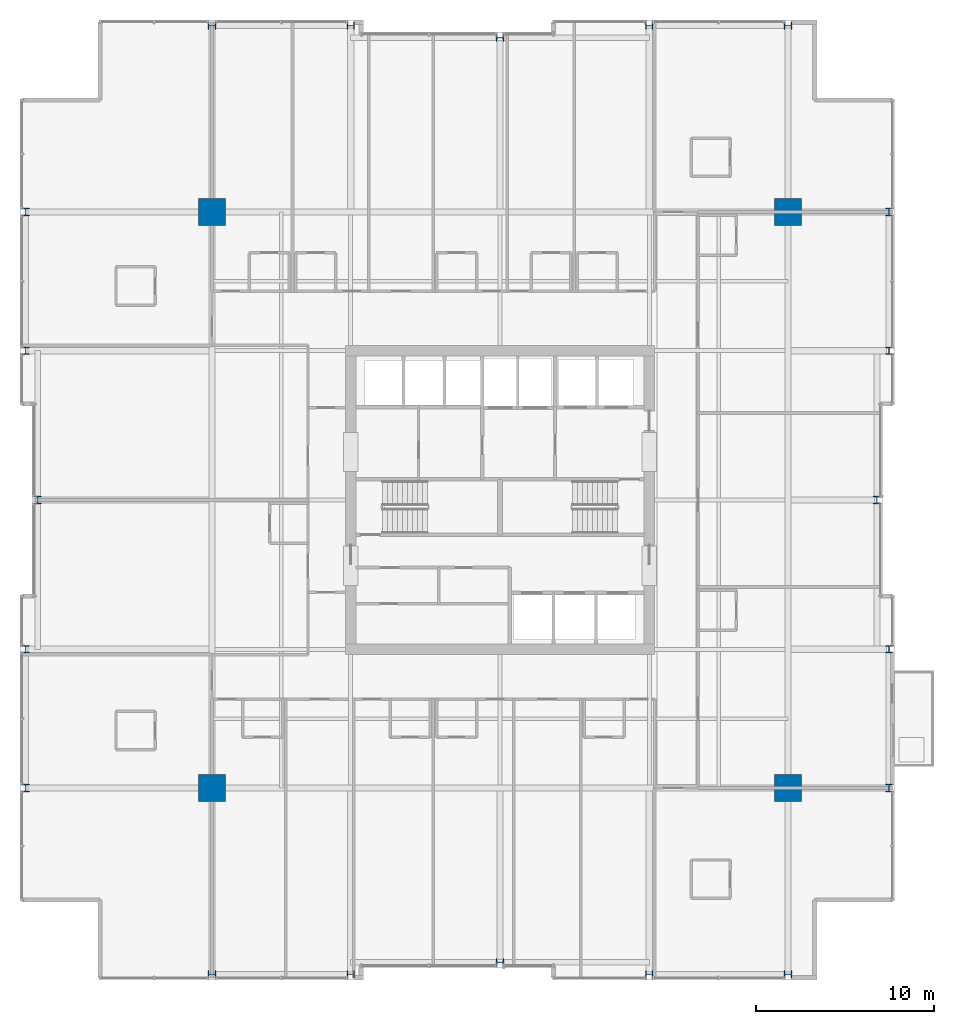
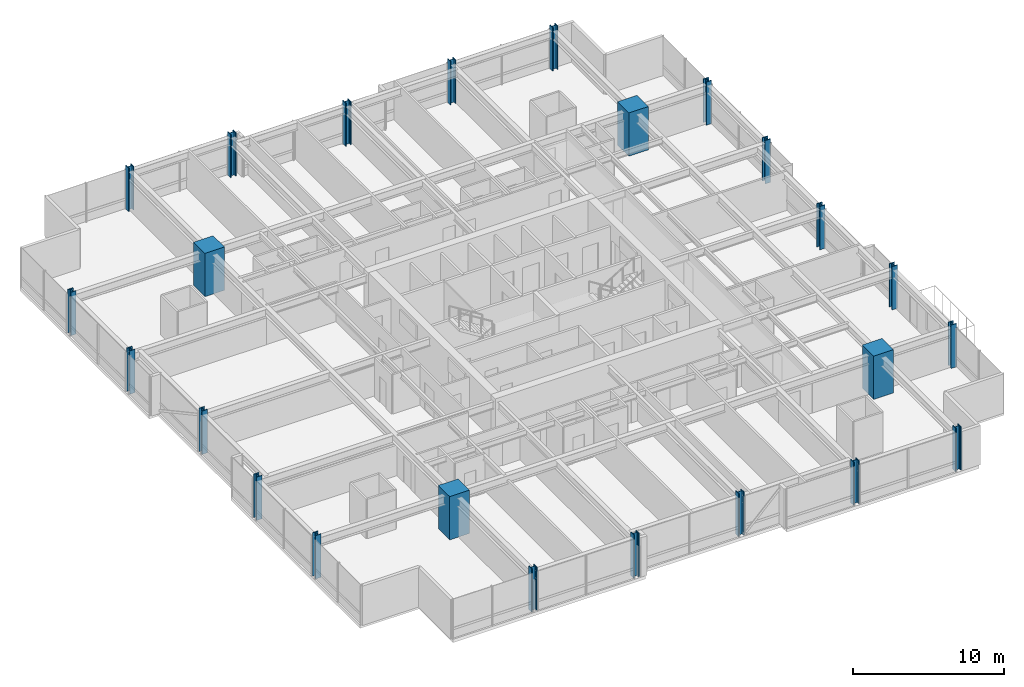
# One storey, part 1 of 35: 24 columns.
"""IFC4 building model written with IfcOpenShell, lengths in metres."""

from ifc_helpers import new_model, si_unit, direction, frame, origin, origin_2d, place, context, subcontext, project, spatial, rectangle, i_section, extrude, material, material_profile, profile_set, type_object, element, save


model = new_model("IFC4")

# Units and contexts
model_context = context("Model", 3, precision=1e-05, world=origin(), true_north=direction((0.0, 1.0)))
body_context = subcontext(model_context, "Body", "Model", "MODEL_VIEW")
ifc_project = project(units=[si_unit("LENGTHUNIT", "METRE"), si_unit("AREAUNIT", "SQUARE_METRE"), si_unit("VOLUMEUNIT", "CUBIC_METRE"), si_unit("PLANEANGLEUNIT", "RADIAN"), si_unit("MASSUNIT", "GRAM", prefix="KILO")], contexts=[model_context])

# Site, building, storey
site_placement = place(None, origin())
site = spatial("IfcSite", under=ifc_project, at=site_placement, CompositionType="ELEMENT")
building_placement = place(site_placement, origin())
building = spatial("IfcBuilding", under=site, at=building_placement, Name="Drelvath Grand Hotel", CompositionType="ELEMENT")
storey_placement = place(building_placement, frame((0.0, 0.0, 137.300048828125)))
storey = spatial("IfcBuildingStorey", under=building, at=storey_placement, Name="L35", CompositionType="ELEMENT", Elevation=137.300048828125)

# Columns
ifc_material_1 = material(Name="Concrete f'c 70 MPa", Category="concrete")
ifc_material_profile_1 = material_profile(ifc_material_1, rectangle(XDim=1.5, YDim=1.5, at=origin_2d()), Name="MC1500X1500")
ifc_profile_set_1 = profile_set([ifc_material_profile_1], Name="Concrete f'c 70 MPa")
column_type_1 = type_object("IfcColumnType", Name="Composite Mega Column MC1500X1500", PredefinedType="COLUMN", material=ifc_profile_set_1)
for number, where, z_axis, x_axis, name in (
    (1, (-16.199951171875, 10.800048828125, 0.0), (0.0, 0.0, 1.0), (1.0, 0.0, 0.0), "L35 Composite Mega Column MC-SW"),
    (2, (16.199951171875, 10.800048828125, 0.0), (0.0, 0.0, 1.0), (1.0, 0.0, 0.0), "L35 Composite Mega Column MC-SE"),
    (3, (-16.199951171875, 43.199951171875, 0.0), (0.0, 0.0, 1.0), (1.0, 0.0, 0.0), "L35 Composite Mega Column MC-NW"),
    (4, (16.199951171875, 43.199951171875, 0.0), (0.0, 0.0, 1.0), (1.0, 0.0, 0.0), "L35 Composite Mega Column MC-NE"),
):
    element("IfcColumn", number, at=place(storey_placement, frame(where, z_axis=z_axis, x_axis=x_axis)), inside=storey, type_object=column_type_1, Name=name, PredefinedType="COLUMN", context=body_context, shape_type="SweptSolid", body=[
        extrude(rectangle(XDim=1.5, YDim=1.5, at=origin_2d()), origin(), (0.0, 0.0, 1.0), 3.5),
    ])
ifc_material_2 = material(Name="Steel ASTM A913 Gr 65", Category="steel")
ifc_material_profile_2 = material_profile(ifc_material_2, i_section(OverallWidth=0.412109375, OverallDepth=0.434814453125, WebThickness=0.035888671875, FlangeThickness=0.057373046875, FilletRadius=0.028076171875, at=origin_2d()), Name="W14X311")
ifc_profile_set_2 = profile_set([ifc_material_profile_2], Name="Steel ASTM A913 Gr 65")
column_type_2 = type_object("IfcColumnType", Name="Perimeter Steel Column W14X311", PredefinedType="COLUMN", material=ifc_profile_set_2)
for number, where, z_axis, x_axis, name in (
    (5, (-26.679931640625, 10.800048828125, 0.0), (0.0, 0.0, 1.0), (1.0, 0.0, 0.0), "L35 Structural Column TCW-C"),
    (6, (21.8798828125, 10.800048828125, 0.0), (0.0, 0.0, 1.0), (1.0, 0.0, 0.0), "L35 Structural Column TCE-C"),
    (7, (-26.679931640625, 18.60009765625, 0.0), (0.0, 0.0, 1.0), (1.0, 0.0, 0.0), "L35 Structural Column TCW-D"),
    (8, (21.8798828125, 18.60009765625, 0.0), (0.0, 0.0, 1.0), (1.0, 0.0, 0.0), "L35 Structural Column TCE-D"),
    (9, (-26.0, 27.0, 0.0), (0.0, 0.0, 1.0), (1.0, 0.0, 0.0), "L35 Structural Column TCW-E"),
    (10, (21.199951171875, 27.0, 0.0), (0.0, 0.0, 1.0), (1.0, 0.0, 0.0), "L35 Structural Column TCE-E"),
    (11, (-26.679931640625, 35.39990234375, 0.0), (0.0, 0.0, 1.0), (1.0, 0.0, 0.0), "L35 Structural Column TCW-F"),
    (12, (21.8798828125, 35.39990234375, 0.0), (0.0, 0.0, 1.0), (1.0, 0.0, 0.0), "L35 Structural Column TCE-F"),
    (13, (-26.679931640625, 43.199951171875, 0.0), (0.0, 0.0, 1.0), (1.0, 0.0, 0.0), "L35 Structural Column TCW-G"),
    (14, (21.8798828125, 43.199951171875, 0.0), (0.0, 0.0, 1.0), (1.0, 0.0, 0.0), "L35 Structural Column TCE-G"),
    (15, (-16.199951171875, 0.320068359375, 0.0), (0.0, 0.0, 1.0), (0.0, 1.0, 0.0), "L35 Structural Column TCS-3"),
    (16, (-16.199951171875, 53.679931640625, 0.0), (0.0, 0.0, 1.0), (0.0, 1.0, 0.0), "L35 Structural Column TCN-3"),
    (17, (-8.39990234375, 0.320068359375, 0.0), (0.0, 0.0, 1.0), (0.0, 1.0, 0.0), "L35 Structural Column TCS-4"),
    (18, (-8.39990234375, 53.679931640625, 0.0), (0.0, 0.0, 1.0), (0.0, 1.0, 0.0), "L35 Structural Column TCN-4"),
    (19, (0.0, 1.0, 0.0), (0.0, 0.0, 1.0), (0.0, 1.0, 0.0), "L35 Structural Column TCS-5"),
    (20, (0.0, 53.0, 0.0), (0.0, 0.0, 1.0), (0.0, 1.0, 0.0), "L35 Structural Column TCN-5"),
    (21, (8.39990234375, 0.320068359375, 0.0), (0.0, 0.0, 1.0), (0.0, 1.0, 0.0), "L35 Structural Column TCS-6"),
    (22, (8.39990234375, 53.679931640625, 0.0), (0.0, 0.0, 1.0), (0.0, 1.0, 0.0), "L35 Structural Column TCN-6"),
    (23, (16.199951171875, 0.320068359375, 0.0), (0.0, 0.0, 1.0), (0.0, 1.0, 0.0), "L35 Structural Column TCS-7"),
    (24, (16.199951171875, 53.679931640625, 0.0), (0.0, 0.0, 1.0), (0.0, 1.0, 0.0), "L35 Structural Column TCN-7"),
):
    element("IfcColumn", number, at=place(storey_placement, frame(where, z_axis=z_axis, x_axis=x_axis)), inside=storey, type_object=column_type_2, Name=name, PredefinedType="COLUMN", context=body_context, shape_type="SweptSolid", body=[
        extrude(i_section(OverallWidth=0.412109375, OverallDepth=0.434814453125, WebThickness=0.035888671875, FlangeThickness=0.057373046875, FilletRadius=0.028076171875, at=origin_2d()), origin(), (0.0, 0.0, 1.0), 3.4970703125),
    ])

save(model, "model.ifc")
